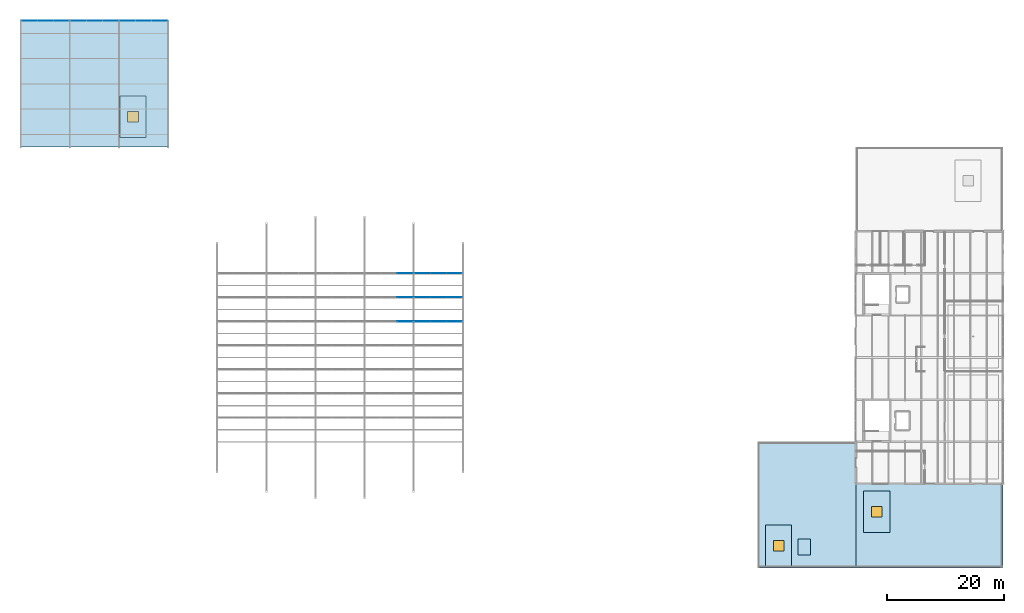
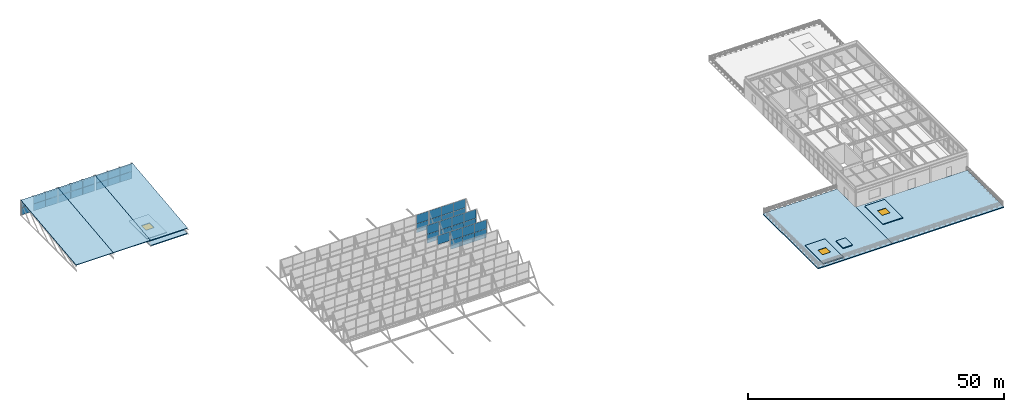
# One storey, part 67 of 77: 41 plates, 10 slabs, 3 windows, 3 openings, 9 elements without a shape of their own.
"""IFC4 building model written with IfcOpenShell, lengths in metres."""

from ifc_helpers import new_model, si_unit, derived_unit, direction, frame, origin, origin_2d, place, context, subcontext, project, spatial, polyline, rectangle, outline, extrude, material, layer, layer_set, type_object, element, fill, aggregate, save


model = new_model("IFC4")

# Units and contexts
model_context = context("Model", 3, precision=1e-05, world=origin(), true_north=direction((0.0, 1.0)))
body_context = subcontext(model_context, "Body", "Model", "MODEL_VIEW")
ifc_project = project(units=[si_unit("LENGTHUNIT", "METRE"), si_unit("AREAUNIT", "SQUARE_METRE"), si_unit("VOLUMEUNIT", "CUBIC_METRE"), si_unit("PLANEANGLEUNIT", "RADIAN"), si_unit("MASSUNIT", "GRAM", prefix="KILO"), derived_unit("THERMALTRANSMITTANCEUNIT", [(si_unit("MASSUNIT", "GRAM", prefix="KILO"), 1), (si_unit("TIMEUNIT", "SECOND"), -3), (si_unit("THERMODYNAMICTEMPERATUREUNIT", "KELVIN"), -1)])], contexts=[model_context])

# Site, building, storey
site_placement = place(None, origin())
site = spatial("IfcSite", under=ifc_project, at=site_placement, CompositionType="ELEMENT")
building_placement = place(site_placement, origin())
building = spatial("IfcBuilding", under=site, at=building_placement, Name="Kharveza Railside Sports Centre", CompositionType="ELEMENT")
storey_placement = place(building_placement, frame((0.0, 0.0, 17.10009765625)))
storey = spatial("IfcBuildingStorey", under=building, at=storey_placement, Name="L04", CompositionType="ELEMENT", Elevation=17.10009765625)

# Curtain wall, plate
ifc_material_1 = material(Name="Low-E solar-control laminated glass", Category="glass")
curtain_wall_type_1 = type_object("IfcCurtainWallType", Name="CW-NL01", PredefinedType="NOTDEFINED", material=ifc_material_1)
curtain_wall_1_placement = place(storey_placement, origin())
curtain_wall_1 = element("IfcCurtainWall", 1, at=curtain_wall_1_placement, inside=storey, type_object=curtain_wall_type_1, Name="CW-V1NL-5-4", PredefinedType="NOTDEFINED")
ifc_layer_1 = layer(ifc_material_1, 0.033935546875, Name="Low-E solar-control laminated glass")
ifc_layer_set_1 = layer_set([ifc_layer_1], Name="Low-E solar-control laminated glass")
plate_type_1 = type_object("IfcPlateType", Name="PL-CP05", PredefinedType="CURTAIN_PANEL", material=ifc_layer_set_1)
plate_1_placement = place(storey_placement, frame((65.719970703125, 56.5712890625, 1.61962890625), z_axis=(0.0, 0.0, 1.0), x_axis=(1.0, 0.0, 0.0)))
plate_1 = element("IfcPlate", 2, at=plate_1_placement, type_object=plate_type_1, Name="CW-V1NL-5-4-PN32", PredefinedType="CURTAIN_PANEL", context=body_context, shape_type="SweptSolid", body=[
    extrude(rectangle(XDim=2.679931640625, YDim=0.033935546875, at=origin_2d()), origin(), (0.0, 0.0, 1.0), 2.110107421875),
])
aggregate(curtain_wall_1, [plate_1])

# Curtain wall, plates
curtain_wall_2_placement = place(storey_placement, origin())
curtain_wall_2 = element("IfcCurtainWall", 3, at=curtain_wall_2_placement, inside=storey, type_object=curtain_wall_type_1, Name="CW-V1NL-5-5", PredefinedType="NOTDEFINED")
plate_2_placement = place(storey_placement, frame((68.679931640625, 56.5712890625, -0.5302734375), z_axis=(0.0, 0.0, 1.0), x_axis=(1.0, 0.0, 0.0)))
plate_2 = element("IfcPlate", 4, at=plate_2_placement, type_object=plate_type_1, Name="CW-V1NL-5-5-PN11", PredefinedType="CURTAIN_PANEL", context=body_context, shape_type="SweptSolid", body=[
    extrude(rectangle(XDim=2.679931640625, YDim=0.033935546875, at=origin_2d()), origin(), (0.0, 0.0, 1.0), 2.110107421875),
])
plate_3_placement = place(storey_placement, frame((68.679931640625, 56.5712890625, 1.61962890625), z_axis=(0.0, 0.0, 1.0), x_axis=(1.0, 0.0, 0.0)))
plate_3 = element("IfcPlate", 5, at=plate_3_placement, type_object=plate_type_1, Name="CW-V1NL-5-5-PN12", PredefinedType="CURTAIN_PANEL", context=body_context, shape_type="SweptSolid", body=[
    extrude(rectangle(XDim=2.679931640625, YDim=0.033935546875, at=origin_2d()), origin(), (0.0, 0.0, 1.0), 2.110107421875),
])
plate_4_placement = place(storey_placement, frame((71.39990234375, 56.5712890625, -0.5302734375), z_axis=(0.0, 0.0, 1.0), x_axis=(1.0, 0.0, 0.0)))
plate_4 = element("IfcPlate", 6, at=plate_4_placement, type_object=plate_type_1, Name="CW-V1NL-5-5-PN21", PredefinedType="CURTAIN_PANEL", context=body_context, shape_type="SweptSolid", body=[
    extrude(rectangle(XDim=2.679931640625, YDim=0.033935546875, at=origin_2d()), origin(), (0.0, 0.0, 1.0), 2.110107421875),
])
plate_5_placement = place(storey_placement, frame((71.39990234375, 56.5712890625, 1.61962890625), z_axis=(0.0, 0.0, 1.0), x_axis=(1.0, 0.0, 0.0)))
plate_5 = element("IfcPlate", 7, at=plate_5_placement, type_object=plate_type_1, Name="CW-V1NL-5-5-PN22", PredefinedType="CURTAIN_PANEL", context=body_context, shape_type="SweptSolid", body=[
    extrude(rectangle(XDim=2.679931640625, YDim=0.033935546875, at=origin_2d()), origin(), (0.0, 0.0, 1.0), 2.110107421875),
])
plate_6_placement = place(storey_placement, frame((74.1201171875, 56.5712890625, -0.5302734375), z_axis=(0.0, 0.0, 1.0), x_axis=(1.0, 0.0, 0.0)))
plate_6 = element("IfcPlate", 8, at=plate_6_placement, type_object=plate_type_1, Name="CW-V1NL-5-5-PN31", PredefinedType="CURTAIN_PANEL", context=body_context, shape_type="SweptSolid", body=[
    extrude(rectangle(XDim=2.679931640625, YDim=0.033935546875, at=origin_2d()), origin(), (0.0, 0.0, 1.0), 2.110107421875),
])
plate_7_placement = place(storey_placement, frame((74.1201171875, 56.5712890625, 1.61962890625), z_axis=(0.0, 0.0, 1.0), x_axis=(1.0, 0.0, 0.0)))
plate_7 = element("IfcPlate", 9, at=plate_7_placement, type_object=plate_type_1, Name="CW-V1NL-5-5-PN32", PredefinedType="CURTAIN_PANEL", context=body_context, shape_type="SweptSolid", body=[
    extrude(rectangle(XDim=2.679931640625, YDim=0.033935546875, at=origin_2d()), origin(), (0.0, 0.0, 1.0), 2.110107421875),
])
aggregate(curtain_wall_2, [plate_2, plate_3, plate_4, plate_5, plate_6, plate_7])

curtain_wall_3_placement = place(storey_placement, origin())
curtain_wall_3 = element("IfcCurtainWall", 10, at=curtain_wall_3_placement, inside=storey, type_object=curtain_wall_type_1, Name="CW-V1NL-6-4", PredefinedType="NOTDEFINED")
plate_8_placement = place(storey_placement, frame((65.719970703125, 60.685791015625, -0.5302734375), z_axis=(0.0, 0.0, 1.0), x_axis=(1.0, 0.0, 0.0)))
plate_8 = element("IfcPlate", 11, at=plate_8_placement, type_object=plate_type_1, Name="CW-V1NL-6-4-PN31", PredefinedType="CURTAIN_PANEL", context=body_context, shape_type="SweptSolid", body=[
    extrude(rectangle(XDim=2.679931640625, YDim=0.033935546875, at=origin_2d()), origin(), (0.0, 0.0, 1.0), 2.110107421875),
])
plate_9_placement = place(storey_placement, frame((65.719970703125, 60.685791015625, 1.61962890625), z_axis=(0.0, 0.0, 1.0), x_axis=(1.0, 0.0, 0.0)))
plate_9 = element("IfcPlate", 12, at=plate_9_placement, type_object=plate_type_1, Name="CW-V1NL-6-4-PN32", PredefinedType="CURTAIN_PANEL", context=body_context, shape_type="SweptSolid", body=[
    extrude(rectangle(XDim=2.679931640625, YDim=0.033935546875, at=origin_2d()), origin(), (0.0, 0.0, 1.0), 2.110107421875),
])
aggregate(curtain_wall_3, [plate_8, plate_9])

curtain_wall_4_placement = place(storey_placement, origin())
curtain_wall_4 = element("IfcCurtainWall", 13, at=curtain_wall_4_placement, inside=storey, type_object=curtain_wall_type_1, Name="CW-V1NL-6-5", PredefinedType="NOTDEFINED")
plate_10_placement = place(storey_placement, frame((68.679931640625, 60.685791015625, -0.5302734375), z_axis=(0.0, 0.0, 1.0), x_axis=(1.0, 0.0, 0.0)))
plate_10 = element("IfcPlate", 14, at=plate_10_placement, type_object=plate_type_1, Name="CW-V1NL-6-5-PN11", PredefinedType="CURTAIN_PANEL", context=body_context, shape_type="SweptSolid", body=[
    extrude(rectangle(XDim=2.679931640625, YDim=0.033935546875, at=origin_2d()), origin(), (0.0, 0.0, 1.0), 2.110107421875),
])
plate_11_placement = place(storey_placement, frame((68.679931640625, 60.685791015625, 1.61962890625), z_axis=(0.0, 0.0, 1.0), x_axis=(1.0, 0.0, 0.0)))
plate_11 = element("IfcPlate", 15, at=plate_11_placement, type_object=plate_type_1, Name="CW-V1NL-6-5-PN12", PredefinedType="CURTAIN_PANEL", context=body_context, shape_type="SweptSolid", body=[
    extrude(rectangle(XDim=2.679931640625, YDim=0.033935546875, at=origin_2d()), origin(), (0.0, 0.0, 1.0), 2.110107421875),
])
plate_12_placement = place(storey_placement, frame((71.39990234375, 60.685791015625, -0.5302734375), z_axis=(0.0, 0.0, 1.0), x_axis=(1.0, 0.0, 0.0)))
plate_12 = element("IfcPlate", 16, at=plate_12_placement, type_object=plate_type_1, Name="CW-V1NL-6-5-PN21", PredefinedType="CURTAIN_PANEL", context=body_context, shape_type="SweptSolid", body=[
    extrude(rectangle(XDim=2.679931640625, YDim=0.033935546875, at=origin_2d()), origin(), (0.0, 0.0, 1.0), 2.110107421875),
])
plate_13_placement = place(storey_placement, frame((71.39990234375, 60.685791015625, 1.61962890625), z_axis=(0.0, 0.0, 1.0), x_axis=(1.0, 0.0, 0.0)))
plate_13 = element("IfcPlate", 17, at=plate_13_placement, type_object=plate_type_1, Name="CW-V1NL-6-5-PN22", PredefinedType="CURTAIN_PANEL", context=body_context, shape_type="SweptSolid", body=[
    extrude(rectangle(XDim=2.679931640625, YDim=0.033935546875, at=origin_2d()), origin(), (0.0, 0.0, 1.0), 2.110107421875),
])
plate_14_placement = place(storey_placement, frame((74.1201171875, 60.685791015625, -0.5302734375), z_axis=(0.0, 0.0, 1.0), x_axis=(1.0, 0.0, 0.0)))
plate_14 = element("IfcPlate", 18, at=plate_14_placement, type_object=plate_type_1, Name="CW-V1NL-6-5-PN31", PredefinedType="CURTAIN_PANEL", context=body_context, shape_type="SweptSolid", body=[
    extrude(rectangle(XDim=2.679931640625, YDim=0.033935546875, at=origin_2d()), origin(), (0.0, 0.0, 1.0), 2.110107421875),
])
plate_15_placement = place(storey_placement, frame((74.1201171875, 60.685791015625, 1.61962890625), z_axis=(0.0, 0.0, 1.0), x_axis=(1.0, 0.0, 0.0)))
plate_15 = element("IfcPlate", 19, at=plate_15_placement, type_object=plate_type_1, Name="CW-V1NL-6-5-PN32", PredefinedType="CURTAIN_PANEL", context=body_context, shape_type="SweptSolid", body=[
    extrude(rectangle(XDim=2.679931640625, YDim=0.033935546875, at=origin_2d()), origin(), (0.0, 0.0, 1.0), 2.110107421875),
])
aggregate(curtain_wall_4, [plate_10, plate_11, plate_12, plate_13, plate_14, plate_15])

curtain_wall_5_placement = place(storey_placement, origin())
curtain_wall_5 = element("IfcCurtainWall", 20, at=curtain_wall_5_placement, inside=storey, type_object=curtain_wall_type_1, Name="CW-V1NL-7-4", PredefinedType="NOTDEFINED")
plate_16_placement = place(storey_placement, frame((65.719970703125, 64.800048828125, -0.5302734375), z_axis=(0.0, 0.0, 1.0), x_axis=(1.0, 0.0, 0.0)))
plate_16 = element("IfcPlate", 21, at=plate_16_placement, type_object=plate_type_1, Name="CW-V1NL-7-4-PN31", PredefinedType="CURTAIN_PANEL", context=body_context, shape_type="SweptSolid", body=[
    extrude(rectangle(XDim=2.679931640625, YDim=0.033935546875, at=origin_2d()), origin(), (0.0, 0.0, 1.0), 2.110107421875),
])
plate_17_placement = place(storey_placement, frame((65.719970703125, 64.800048828125, 1.61962890625), z_axis=(0.0, 0.0, 1.0), x_axis=(1.0, 0.0, 0.0)))
plate_17 = element("IfcPlate", 22, at=plate_17_placement, type_object=plate_type_1, Name="CW-V1NL-7-4-PN32", PredefinedType="CURTAIN_PANEL", context=body_context, shape_type="SweptSolid", body=[
    extrude(rectangle(XDim=2.679931640625, YDim=0.033935546875, at=origin_2d()), origin(), (0.0, 0.0, 1.0), 2.110107421875),
])
aggregate(curtain_wall_5, [plate_16, plate_17])

curtain_wall_6_placement = place(storey_placement, origin())
curtain_wall_6 = element("IfcCurtainWall", 23, at=curtain_wall_6_placement, inside=storey, type_object=curtain_wall_type_1, Name="CW-V1NL-7-5", PredefinedType="NOTDEFINED")
plate_18_placement = place(storey_placement, frame((68.679931640625, 64.800048828125, -0.5302734375), z_axis=(0.0, 0.0, 1.0), x_axis=(1.0, 0.0, 0.0)))
plate_18 = element("IfcPlate", 24, at=plate_18_placement, type_object=plate_type_1, Name="CW-V1NL-7-5-PN11", PredefinedType="CURTAIN_PANEL", context=body_context, shape_type="SweptSolid", body=[
    extrude(rectangle(XDim=2.679931640625, YDim=0.033935546875, at=origin_2d()), origin(), (0.0, 0.0, 1.0), 2.110107421875),
])
plate_19_placement = place(storey_placement, frame((68.679931640625, 64.800048828125, 1.61962890625), z_axis=(0.0, 0.0, 1.0), x_axis=(1.0, 0.0, 0.0)))
plate_19 = element("IfcPlate", 25, at=plate_19_placement, type_object=plate_type_1, Name="CW-V1NL-7-5-PN12", PredefinedType="CURTAIN_PANEL", context=body_context, shape_type="SweptSolid", body=[
    extrude(rectangle(XDim=2.679931640625, YDim=0.033935546875, at=origin_2d()), origin(), (0.0, 0.0, 1.0), 2.110107421875),
])
plate_20_placement = place(storey_placement, frame((71.39990234375, 64.800048828125, -0.5302734375), z_axis=(0.0, 0.0, 1.0), x_axis=(1.0, 0.0, 0.0)))
plate_20 = element("IfcPlate", 26, at=plate_20_placement, type_object=plate_type_1, Name="CW-V1NL-7-5-PN21", PredefinedType="CURTAIN_PANEL", context=body_context, shape_type="SweptSolid", body=[
    extrude(rectangle(XDim=2.679931640625, YDim=0.033935546875, at=origin_2d()), origin(), (0.0, 0.0, 1.0), 2.110107421875),
])
plate_21_placement = place(storey_placement, frame((71.39990234375, 64.800048828125, 1.61962890625), z_axis=(0.0, 0.0, 1.0), x_axis=(1.0, 0.0, 0.0)))
plate_21 = element("IfcPlate", 27, at=plate_21_placement, type_object=plate_type_1, Name="CW-V1NL-7-5-PN22", PredefinedType="CURTAIN_PANEL", context=body_context, shape_type="SweptSolid", body=[
    extrude(rectangle(XDim=2.679931640625, YDim=0.033935546875, at=origin_2d()), origin(), (0.0, 0.0, 1.0), 2.110107421875),
])
plate_22_placement = place(storey_placement, frame((74.1201171875, 64.800048828125, -0.5302734375), z_axis=(0.0, 0.0, 1.0), x_axis=(1.0, 0.0, 0.0)))
plate_22 = element("IfcPlate", 28, at=plate_22_placement, type_object=plate_type_1, Name="CW-V1NL-7-5-PN31", PredefinedType="CURTAIN_PANEL", context=body_context, shape_type="SweptSolid", body=[
    extrude(rectangle(XDim=2.679931640625, YDim=0.033935546875, at=origin_2d()), origin(), (0.0, 0.0, 1.0), 2.110107421875),
])
plate_23_placement = place(storey_placement, frame((74.1201171875, 64.800048828125, 1.61962890625), z_axis=(0.0, 0.0, 1.0), x_axis=(1.0, 0.0, 0.0)))
plate_23 = element("IfcPlate", 29, at=plate_23_placement, type_object=plate_type_1, Name="CW-V1NL-7-5-PN32", PredefinedType="CURTAIN_PANEL", context=body_context, shape_type="SweptSolid", body=[
    extrude(rectangle(XDim=2.679931640625, YDim=0.033935546875, at=origin_2d()), origin(), (0.0, 0.0, 1.0), 2.110107421875),
])
aggregate(curtain_wall_6, [plate_18, plate_19, plate_20, plate_21, plate_22, plate_23])

curtain_wall_type_2 = type_object("IfcCurtainWallType", Name="CW-NL03", PredefinedType="NOTDEFINED", material=ifc_material_1)
curtain_wall_7_placement = place(storey_placement, origin())
curtain_wall_7 = element("IfcCurtainWall", 30, at=curtain_wall_7_placement, inside=storey, type_object=curtain_wall_type_2, Name="CW-V3NL-1", PredefinedType="NOTDEFINED")
ifc_layer_2 = layer(ifc_material_1, 0.033935546875, Name="Low-E solar-control laminated glass")
ifc_layer_set_2 = layer_set([ifc_layer_2], Name="Low-E solar-control laminated glass")
plate_type_2 = type_object("IfcPlateType", Name="PL-CP07", PredefinedType="CURTAIN_PANEL", material=ifc_layer_set_2)
plate_24_placement = place(storey_placement, frame((1.47998046875, 108.0, 0.019775390625), z_axis=(0.0, 0.0, 1.0), x_axis=(1.0, 0.0, 0.0)))
plate_24 = element("IfcPlate", 31, at=plate_24_placement, type_object=plate_type_2, Name="CW-V3NL-1-PN11", PredefinedType="CURTAIN_PANEL", context=body_context, shape_type="SweptSolid", body=[
    extrude(rectangle(XDim=2.679931640625, YDim=0.033935546875, at=origin_2d()), origin(), (0.0, 0.0, 1.0), 1.68505859375),
])
plate_25_placement = place(storey_placement, frame((1.47998046875, 108.0, 1.744873046875), z_axis=(0.0, 0.0, 1.0), x_axis=(1.0, 0.0, 0.0)))
plate_25 = element("IfcPlate", 32, at=plate_25_placement, type_object=plate_type_2, Name="CW-V3NL-1-PN12", PredefinedType="CURTAIN_PANEL", context=body_context, shape_type="SweptSolid", body=[
    extrude(rectangle(XDim=2.679931640625, YDim=0.033935546875, at=origin_2d()), origin(), (0.0, 0.0, 1.0), 1.68505859375),
])
plate_26_placement = place(storey_placement, frame((4.199951171875, 108.0, 0.019775390625), z_axis=(0.0, 0.0, 1.0), x_axis=(1.0, 0.0, 0.0)))
plate_26 = element("IfcPlate", 33, at=plate_26_placement, type_object=plate_type_2, Name="CW-V3NL-1-PN21", PredefinedType="CURTAIN_PANEL", context=body_context, shape_type="SweptSolid", body=[
    extrude(rectangle(XDim=2.679931640625, YDim=0.033935546875, at=origin_2d()), origin(), (0.0, 0.0, 1.0), 1.68505859375),
])
plate_27_placement = place(storey_placement, frame((4.199951171875, 108.0, 1.744873046875), z_axis=(0.0, 0.0, 1.0), x_axis=(1.0, 0.0, 0.0)))
plate_27 = element("IfcPlate", 34, at=plate_27_placement, type_object=plate_type_2, Name="CW-V3NL-1-PN22", PredefinedType="CURTAIN_PANEL", context=body_context, shape_type="SweptSolid", body=[
    extrude(rectangle(XDim=2.679931640625, YDim=0.033935546875, at=origin_2d()), origin(), (0.0, 0.0, 1.0), 1.68505859375),
])
plate_28_placement = place(storey_placement, frame((6.919921875, 108.0, 0.019775390625), z_axis=(0.0, 0.0, 1.0), x_axis=(1.0, 0.0, 0.0)))
plate_28 = element("IfcPlate", 35, at=plate_28_placement, type_object=plate_type_2, Name="CW-V3NL-1-PN31", PredefinedType="CURTAIN_PANEL", context=body_context, shape_type="SweptSolid", body=[
    extrude(rectangle(XDim=2.679931640625, YDim=0.033935546875, at=origin_2d()), origin(), (0.0, 0.0, 1.0), 1.68505859375),
])
plate_29_placement = place(storey_placement, frame((6.919921875, 108.0, 1.744873046875), z_axis=(0.0, 0.0, 1.0), x_axis=(1.0, 0.0, 0.0)))
plate_29 = element("IfcPlate", 36, at=plate_29_placement, type_object=plate_type_2, Name="CW-V3NL-1-PN32", PredefinedType="CURTAIN_PANEL", context=body_context, shape_type="SweptSolid", body=[
    extrude(rectangle(XDim=2.679931640625, YDim=0.033935546875, at=origin_2d()), origin(), (0.0, 0.0, 1.0), 1.68505859375),
])
aggregate(curtain_wall_7, [plate_24, plate_25, plate_26, plate_27, plate_28, plate_29])

curtain_wall_8_placement = place(storey_placement, origin())
curtain_wall_8 = element("IfcCurtainWall", 37, at=curtain_wall_8_placement, inside=storey, type_object=curtain_wall_type_2, Name="CW-V3NL-2", PredefinedType="NOTDEFINED")
plate_30_placement = place(storey_placement, frame((9.8798828125, 108.0, 0.019775390625), z_axis=(0.0, 0.0, 1.0), x_axis=(1.0, 0.0, 0.0)))
plate_30 = element("IfcPlate", 38, at=plate_30_placement, type_object=plate_type_2, Name="CW-V3NL-2-PN11", PredefinedType="CURTAIN_PANEL", context=body_context, shape_type="SweptSolid", body=[
    extrude(rectangle(XDim=2.679931640625, YDim=0.033935546875, at=origin_2d()), origin(), (0.0, 0.0, 1.0), 1.68505859375),
])
plate_31_placement = place(storey_placement, frame((9.8798828125, 108.0, 1.744873046875), z_axis=(0.0, 0.0, 1.0), x_axis=(1.0, 0.0, 0.0)))
plate_31 = element("IfcPlate", 39, at=plate_31_placement, type_object=plate_type_2, Name="CW-V3NL-2-PN12", PredefinedType="CURTAIN_PANEL", context=body_context, shape_type="SweptSolid", body=[
    extrude(rectangle(XDim=2.679931640625, YDim=0.033935546875, at=origin_2d()), origin(), (0.0, 0.0, 1.0), 1.68505859375),
])
plate_32_placement = place(storey_placement, frame((12.60009765625, 108.0, 0.019775390625), z_axis=(0.0, 0.0, 1.0), x_axis=(1.0, 0.0, 0.0)))
plate_32 = element("IfcPlate", 40, at=plate_32_placement, type_object=plate_type_2, Name="CW-V3NL-2-PN21", PredefinedType="CURTAIN_PANEL", context=body_context, shape_type="SweptSolid", body=[
    extrude(rectangle(XDim=2.679931640625, YDim=0.033935546875, at=origin_2d()), origin(), (0.0, 0.0, 1.0), 1.68505859375),
])
plate_33_placement = place(storey_placement, frame((12.60009765625, 108.0, 1.744873046875), z_axis=(0.0, 0.0, 1.0), x_axis=(1.0, 0.0, 0.0)))
plate_33 = element("IfcPlate", 41, at=plate_33_placement, type_object=plate_type_2, Name="CW-V3NL-2-PN22", PredefinedType="CURTAIN_PANEL", context=body_context, shape_type="SweptSolid", body=[
    extrude(rectangle(XDim=2.679931640625, YDim=0.033935546875, at=origin_2d()), origin(), (0.0, 0.0, 1.0), 1.68505859375),
])
plate_34_placement = place(storey_placement, frame((15.320068359375, 108.0, 0.019775390625), z_axis=(0.0, 0.0, 1.0), x_axis=(1.0, 0.0, 0.0)))
plate_34 = element("IfcPlate", 42, at=plate_34_placement, type_object=plate_type_2, Name="CW-V3NL-2-PN31", PredefinedType="CURTAIN_PANEL", context=body_context, shape_type="SweptSolid", body=[
    extrude(rectangle(XDim=2.679931640625, YDim=0.033935546875, at=origin_2d()), origin(), (0.0, 0.0, 1.0), 1.68505859375),
])
plate_35_placement = place(storey_placement, frame((15.320068359375, 108.0, 1.744873046875), z_axis=(0.0, 0.0, 1.0), x_axis=(1.0, 0.0, 0.0)))
plate_35 = element("IfcPlate", 43, at=plate_35_placement, type_object=plate_type_2, Name="CW-V3NL-2-PN32", PredefinedType="CURTAIN_PANEL", context=body_context, shape_type="SweptSolid", body=[
    extrude(rectangle(XDim=2.679931640625, YDim=0.033935546875, at=origin_2d()), origin(), (0.0, 0.0, 1.0), 1.68505859375),
])
aggregate(curtain_wall_8, [plate_30, plate_31, plate_32, plate_33, plate_34, plate_35])

curtain_wall_9_placement = place(storey_placement, origin())
curtain_wall_9 = element("IfcCurtainWall", 44, at=curtain_wall_9_placement, inside=storey, type_object=curtain_wall_type_2, Name="CW-V3NL-3", PredefinedType="NOTDEFINED")
plate_36_placement = place(storey_placement, frame((18.280029296875, 108.0, 0.019775390625), z_axis=(0.0, 0.0, 1.0), x_axis=(1.0, 0.0, 0.0)))
plate_36 = element("IfcPlate", 45, at=plate_36_placement, type_object=plate_type_2, Name="CW-V3NL-3-PN11", PredefinedType="CURTAIN_PANEL", context=body_context, shape_type="SweptSolid", body=[
    extrude(rectangle(XDim=2.679931640625, YDim=0.033935546875, at=origin_2d()), origin(), (0.0, 0.0, 1.0), 1.68505859375),
])
plate_37_placement = place(storey_placement, frame((18.280029296875, 108.0, 1.744873046875), z_axis=(0.0, 0.0, 1.0), x_axis=(1.0, 0.0, 0.0)))
plate_37 = element("IfcPlate", 46, at=plate_37_placement, type_object=plate_type_2, Name="CW-V3NL-3-PN12", PredefinedType="CURTAIN_PANEL", context=body_context, shape_type="SweptSolid", body=[
    extrude(rectangle(XDim=2.679931640625, YDim=0.033935546875, at=origin_2d()), origin(), (0.0, 0.0, 1.0), 1.68505859375),
])
plate_38_placement = place(storey_placement, frame((21.0, 108.0, 0.019775390625), z_axis=(0.0, 0.0, 1.0), x_axis=(1.0, 0.0, 0.0)))
plate_38 = element("IfcPlate", 47, at=plate_38_placement, type_object=plate_type_2, Name="CW-V3NL-3-PN21", PredefinedType="CURTAIN_PANEL", context=body_context, shape_type="SweptSolid", body=[
    extrude(rectangle(XDim=2.679931640625, YDim=0.033935546875, at=origin_2d()), origin(), (0.0, 0.0, 1.0), 1.68505859375),
])
plate_39_placement = place(storey_placement, frame((21.0, 108.0, 1.744873046875), z_axis=(0.0, 0.0, 1.0), x_axis=(1.0, 0.0, 0.0)))
plate_39 = element("IfcPlate", 48, at=plate_39_placement, type_object=plate_type_2, Name="CW-V3NL-3-PN22", PredefinedType="CURTAIN_PANEL", context=body_context, shape_type="SweptSolid", body=[
    extrude(rectangle(XDim=2.679931640625, YDim=0.033935546875, at=origin_2d()), origin(), (0.0, 0.0, 1.0), 1.68505859375),
])
plate_40_placement = place(storey_placement, frame((23.719970703125, 108.0, 0.019775390625), z_axis=(0.0, 0.0, 1.0), x_axis=(1.0, 0.0, 0.0)))
plate_40 = element("IfcPlate", 49, at=plate_40_placement, type_object=plate_type_2, Name="CW-V3NL-3-PN31", PredefinedType="CURTAIN_PANEL", context=body_context, shape_type="SweptSolid", body=[
    extrude(rectangle(XDim=2.679931640625, YDim=0.033935546875, at=origin_2d()), origin(), (0.0, 0.0, 1.0), 1.68505859375),
])
plate_41_placement = place(storey_placement, frame((23.719970703125, 108.0, 1.744873046875), z_axis=(0.0, 0.0, 1.0), x_axis=(1.0, 0.0, 0.0)))
plate_41 = element("IfcPlate", 50, at=plate_41_placement, type_object=plate_type_2, Name="CW-V3NL-3-PN32", PredefinedType="CURTAIN_PANEL", context=body_context, shape_type="SweptSolid", body=[
    extrude(rectangle(XDim=2.679931640625, YDim=0.033935546875, at=origin_2d()), origin(), (0.0, 0.0, 1.0), 1.68505859375),
])
aggregate(curtain_wall_9, [plate_36, plate_37, plate_38, plate_39, plate_40, plate_41])

# Slabs
ifc_material_2 = material(Name="Insulated standing-seam zinc-aluminium roof panel", Category="aluminium")
ifc_layer_3 = layer(ifc_material_2, 0.14501953125, Name="Insulated standing-seam zinc-aluminium roof panel")
ifc_layer_set_3 = layer_set([ifc_layer_3], Name="Insulated standing-seam zinc-aluminium roof panel")
slab_type_1 = type_object("IfcSlabType", Name="SL-RF145", PredefinedType="ROOF", material=ifc_layer_set_3)
slab_1_placement = place(storey_placement, frame((0.0, 86.39990234375, 1.25), z_axis=(0.0, -0.110426594235, 0.993884282643), x_axis=(1.0, 0.0, 0.0)))
element("IfcSlab", 51, at=slab_1_placement, inside=storey, type_object=slab_type_1, Name="Climbing Hall Mono-Pitch Roof Bay 1", PredefinedType="ROOF", context=body_context, shape_type="SweptSolid", body=[
    extrude(outline(polyline([(0.0, 0.0), (8.39990234375, 0.0), (8.39990234375, 21.733010606427115), (0.0, 21.733010606427115), (0.0, 0.0)])), origin(), (0.0, 0.0, -1.0), 0.14501953125),
])
slab_2_placement = place(storey_placement, frame((8.39990234375, 86.39990234375, 1.25), z_axis=(0.0, -0.110426594235, 0.993884282643), x_axis=(1.0, 0.0, 0.0)))
element("IfcSlab", 52, at=slab_2_placement, inside=storey, type_object=slab_type_1, Name="Climbing Hall Mono-Pitch Roof Bay 2", PredefinedType="ROOF", context=body_context, shape_type="SweptSolid", body=[
    extrude(outline(polyline([(0.0, 0.0), (8.400146484375, 0.0), (8.400146484375, 21.73301060642711), (0.0, 21.73301060642711), (0.0, 0.0)])), origin(), (0.0, 0.0, -1.0), 0.14501953125),
])
slab_3_placement = place(storey_placement, frame((16.800048828125, 86.39990234375, 1.25), z_axis=(0.0, -0.110426594235, 0.993884282643), x_axis=(1.0, 0.0, 0.0)))
element("IfcSlab", 53, at=slab_3_placement, inside=storey, type_object=slab_type_1, Name="Climbing Hall Mono-Pitch Roof Bay 3", PredefinedType="ROOF", context=body_context, shape_type="SweptSolid", body=[
    extrude(outline(polyline([(0.0, 0.0), (8.39990234375, 0.0), (8.39990234375, 21.733010606427115), (0.0, 21.733010606427115), (0.0, 0.0)])), origin(), (0.0, 0.0, -1.0), 0.14501953125),
])
ifc_layer_4 = layer(ifc_material_2, 0.18994140625, Name="Insulated standing-seam zinc-aluminium roof panel")
ifc_layer_set_4 = layer_set([ifc_layer_4], Name="Insulated standing-seam zinc-aluminium roof panel")
slab_type_2 = type_object("IfcSlabType", Name="SL-RF190", PredefinedType="ROOF", material=ifc_layer_set_4)
slab_4_placement = place(storey_placement, frame((0.0, 0.0, -0.190185546875)))
element("IfcSlab", 54, at=slab_4_placement, inside=storey, type_object=slab_type_2, Name="SLB-RF-L04REM-1", PredefinedType="ROOF", context=body_context, shape_type="SweptSolid", body=[
    extrude(outline(polyline([(25.199951171875, 86.39990234375), (16.800048828125, 86.39990234375), (16.800048828125, 108.0), (25.199951171875, 108.0), (25.199951171875, 86.39990234375)]), holes=[polyline([(21.4599609375, 88.0400390625), (21.4599609375, 95.159912109375), (16.93994140625, 95.159912109375), (16.93994140625, 88.0400390625), (21.4599609375, 88.0400390625)])]), origin(), (0.0, 0.0, 1.0), 0.190185546875),
])

# Slab, opening, window
slab_5_placement = place(storey_placement, frame((0.0, 0.0, 0.35986328125)))
slab_5 = element("IfcSlab", 55, at=slab_5_placement, inside=storey, type_object=slab_type_2, Name="SLB-STCAP-ST3", PredefinedType="ROOF", context=body_context, shape_type="SweptSolid", body=[
    extrude(outline(polyline([(127.35009765625, 14.64990234375), (131.85009765625, 14.64990234375), (131.85009765625, 21.75), (127.35009765625, 21.75), (127.35009765625, 14.64990234375)])), origin(), (0.0, 0.0, 1.0), 0.18994140625),
])
opening_1_placement = place(slab_5_placement, frame((129.60009765625, 18.199951171875, -0.02490234375)))
opening_1 = element("IfcOpeningElement", 56, at=opening_1_placement, cuts=slab_5, Name="Opening SK03", PredefinedType="OPENING", context=body_context, shape_type="SweptSolid", body=[
    extrude(rectangle(XDim=1.800048828125, YDim=1.800048828125, at=origin_2d()), origin(), (0.0, 0.0, 1.0), 0.23974609375),
])
window_type = type_object("IfcWindowType", Name="WN-SK03", PartitioningType="SINGLE_PANEL", PredefinedType="SKYLIGHT", material=ifc_material_1)
window_1_placement = place(slab_5_placement, frame((129.60009765625, 18.199951171875, 0.06982421875)))
window_1 = element("IfcWindow", 57, at=window_1_placement, inside=storey, type_object=window_type, Name="WN-SK-ST-ST3", OverallHeight=1.800048828125, OverallWidth=1.800048828125, PartitioningType="SINGLE_PANEL", PredefinedType="SKYLIGHT", context=body_context, shape_type="SweptSolid", body=[
    extrude(rectangle(XDim=1.800048828125, YDim=1.800048828125, at=origin_2d()), origin(), (0.0, 0.0, 1.0), 0.050048828125),
])
fill(opening_1, window_1)

slab_6_placement = place(storey_placement, frame((0.0, 0.0, 0.35986328125)))
slab_6 = element("IfcSlab", 58, at=slab_6_placement, inside=storey, type_object=slab_type_2, Name="SLB-STCAP-ST5", PredefinedType="ROOF", context=body_context, shape_type="SweptSolid", body=[
    extrude(outline(polyline([(144.14990234375, 20.449951171875), (148.64990234375, 20.449951171875), (148.64990234375, 27.550048828125), (144.14990234375, 27.550048828125), (144.14990234375, 20.449951171875)])), origin(), (0.0, 0.0, 1.0), 0.18994140625),
])
opening_2_placement = place(slab_6_placement, frame((146.39990234375, 24.0, -0.02490234375)))
opening_2 = element("IfcOpeningElement", 59, at=opening_2_placement, cuts=slab_6, Name="Opening SK03", PredefinedType="OPENING", context=body_context, shape_type="SweptSolid", body=[
    extrude(rectangle(XDim=1.800048828125, YDim=1.800048828125, at=origin_2d()), origin(), (0.0, 0.0, 1.0), 0.23974609375),
])
window_2_placement = place(slab_6_placement, frame((146.39990234375, 24.0, 0.06982421875)))
window_2 = element("IfcWindow", 60, at=window_2_placement, inside=storey, type_object=window_type, Name="WN-SK-ST-ST5", OverallHeight=1.800048828125, OverallWidth=1.800048828125, PartitioningType="SINGLE_PANEL", PredefinedType="SKYLIGHT", context=body_context, shape_type="SweptSolid", body=[
    extrude(rectangle(XDim=1.800048828125, YDim=1.800048828125, at=origin_2d()), origin(), (0.0, 0.0, 1.0), 0.050048828125),
])
fill(opening_2, window_2)

slab_7_placement = place(storey_placement, frame((0.0, 0.0, 0.35986328125)))
slab_7 = element("IfcSlab", 61, at=slab_7_placement, inside=storey, type_object=slab_type_2, Name="SLB-STCAP-ST6", PredefinedType="ROOF", context=body_context, shape_type="SweptSolid", body=[
    extrude(outline(polyline([(16.949951171875, 88.050048828125), (21.449951171875, 88.050048828125), (21.449951171875, 95.14990234375), (16.949951171875, 95.14990234375), (16.949951171875, 88.050048828125)])), origin(), (0.0, 0.0, 1.0), 0.18994140625),
])
opening_3_placement = place(slab_7_placement, frame((19.199951171875, 91.60009765625, -0.02490234375)))
opening_3 = element("IfcOpeningElement", 62, at=opening_3_placement, cuts=slab_7, Name="Opening SK03", PredefinedType="OPENING", context=body_context, shape_type="SweptSolid", body=[
    extrude(rectangle(XDim=1.800048828125, YDim=1.800048828125, at=origin_2d()), origin(), (0.0, 0.0, 1.0), 0.23974609375),
])
window_3_placement = place(slab_7_placement, frame((19.199951171875, 91.60009765625, 0.06982421875)))
window_3 = element("IfcWindow", 63, at=window_3_placement, inside=storey, type_object=window_type, Name="WN-SK-ST-ST6", OverallHeight=1.800048828125, OverallWidth=1.800048828125, PartitioningType="SINGLE_PANEL", PredefinedType="SKYLIGHT", context=body_context, shape_type="SweptSolid", body=[
    extrude(rectangle(XDim=1.800048828125, YDim=1.800048828125, at=origin_2d()), origin(), (0.0, 0.0, 1.0), 0.050048828125),
])
fill(opening_3, window_3)

# Slabs
slab_8_placement = place(storey_placement, frame((0.0, 0.0, 0.89990234375)))
element("IfcSlab", 64, at=slab_8_placement, inside=storey, type_object=slab_type_2, Name="SLB-LFOVR-LF3", PredefinedType="ROOF", context=body_context, shape_type="SweptSolid", body=[
    extrude(outline(polyline([(132.925048828125, 16.625), (135.074951171875, 16.625), (135.074951171875, 19.375), (132.925048828125, 19.375), (132.925048828125, 16.625)])), origin(), (0.0, 0.0, 1.0), 0.18994140625),
])
ifc_material_3 = material(Name="Concrete C35/45", Category="concrete")
ifc_layer_5 = layer(ifc_material_3, 0.239990234375, Name="Concrete C35/45")
ifc_layer_set_5 = layer_set([ifc_layer_5], Name="Concrete C35/45")
slab_type_3 = type_object("IfcSlabType", Name="SL-TK240", PredefinedType="FLOOR", material=ifc_layer_set_5)
slab_9_placement = place(storey_placement, frame((0.0, 0.0, -0.239990234375)))
element("IfcSlab", 65, at=slab_9_placement, inside=storey, type_object=slab_type_3, Name="Outdoor Terrace TRACK-L04-SW", PredefinedType="FLOOR", context=body_context, shape_type="SweptSolid", body=[
    extrude(outline(polyline([(126.0009765625, 14.40087890625), (126.0009765625, 35.9990234375), (142.799072265625, 35.9990234375), (142.799072265625, 14.40087890625), (126.0009765625, 14.40087890625)])), origin(), (0.0, 0.0, 1.0), 0.239990234375),
])
slab_10_placement = place(storey_placement, frame((0.0, 0.0, -0.239990234375)))
element("IfcSlab", 66, at=slab_10_placement, inside=storey, type_object=slab_type_3, Name="Outdoor Terrace TRACK-L04-S", PredefinedType="FLOOR", context=body_context, shape_type="SweptSolid", body=[
    extrude(outline(polyline([(142.801025390625, 14.40087890625), (142.801025390625, 28.799072265625), (167.9990234375, 28.799072265625), (167.9990234375, 14.40087890625), (142.801025390625, 14.40087890625)])), origin(), (0.0, 0.0, 1.0), 0.239990234375),
])

save(model, "model.ifc")
